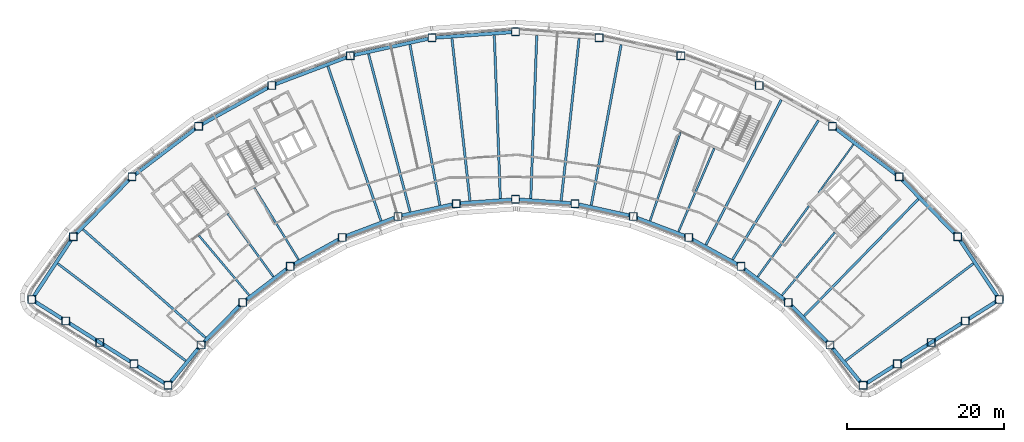
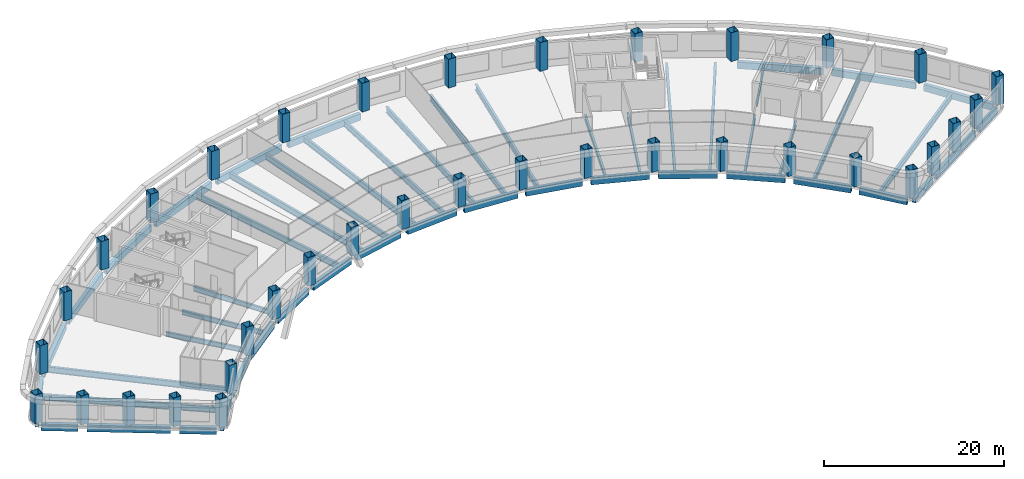
# One storey, part 1 of 13: 52 beams, 36 columns.
"""IFC4 building model written with IfcOpenShell, lengths in metres."""

from ifc_helpers import new_model, si_unit, direction, frame, origin, origin_2d, place, context, subcontext, project, spatial, hollow_rectangle, i_section, extrude, material, material_profile, profile_set, type_object, element, save


model = new_model("IFC4")

# Units and contexts
model_context = context("Model", 3, precision=1e-05, world=origin(), true_north=direction((0.0, 1.0)))
body_context = subcontext(model_context, "Body", "Model", "MODEL_VIEW")
ifc_project = project(units=[si_unit("LENGTHUNIT", "METRE"), si_unit("AREAUNIT", "SQUARE_METRE"), si_unit("VOLUMEUNIT", "CUBIC_METRE"), si_unit("PLANEANGLEUNIT", "RADIAN"), si_unit("MASSUNIT", "GRAM", prefix="KILO")], contexts=[model_context])

# Site, building, storey
site_placement = place(None, origin())
site = spatial("IfcSite", under=ifc_project, at=site_placement, CompositionType="ELEMENT")
building_placement = place(site_placement, origin())
building = spatial("IfcBuilding", under=site, at=building_placement, Name="Tuul Gate Civic Tower", CompositionType="ELEMENT")
storey_placement = place(building_placement, frame((0.0, 0.0, 150.800048828125)))
storey = spatial("IfcBuildingStorey", under=building, at=storey_placement, Name="Level 34", CompositionType="ELEMENT", Elevation=150.800048828125)

# Columns
ifc_material_1 = material(Name="Steel S355", Category="steel")
ifc_material_profile_1 = material_profile(ifc_material_1, hollow_rectangle(XDim=1.0, YDim=1.0, WallThickness=0.0400390625, at=origin_2d()), Name="BOX1000x1000x40")
ifc_profile_set_1 = profile_set([ifc_material_profile_1], Name="Steel S355")
column_type = type_object("IfcColumnType", Name="STR-COLUMN-BOX1000x1000x40", PredefinedType="COLUMN", material=ifc_profile_set_1)
for number, where, z_axis, x_axis, name in (
    (1, (67.044921875, -24.89697265625, 0.0), (0.0, 0.0, 1.0), (1.0, 0.0, 0.0), "Column"),
    (2, (61.74609375, -16.884033203125, 0.0), (0.0, 0.0, 1.0), (1.0, 0.0, 0.0), "Column"),
    (3, (54.27197265625, -9.259033203125, 0.0), (0.0, 0.0, 1.0), (1.0, 0.0, 0.0), "Column"),
    (4, (45.77587890625, -2.791015625, 0.0), (0.0, 0.0, 1.0), (1.0, 0.0, 0.0), "Column"),
    (5, (36.43798828125, 2.385009765625, 0.0), (0.0, 0.0, 1.0), (1.0, 0.0, 0.0), "Column"),
    (6, (26.450927734375, 6.162109375, 0.0), (0.0, 0.0, 1.0), (1.0, 0.0, 0.0), "Column"),
    (7, (16.02294921875, 8.4599609375, 0.0), (0.0, 0.0, 1.0), (1.0, 0.0, 0.0), "Column"),
    (8, (5.3740234375, 9.23193359375, 0.0), (0.0, 0.0, 1.0), (1.0, 0.0, 0.0), "Column"),
    (9, (-5.27490234375, 8.4599609375, 0.0), (0.0, 0.0, 1.0), (1.0, 0.0, 0.0), "Column"),
    (10, (-15.702880859375, 6.162109375, 0.0), (0.0, 0.0, 1.0), (1.0, 0.0, 0.0), "Column"),
    (11, (-25.68994140625, 2.385009765625, 0.0), (0.0, 0.0, 1.0), (1.0, 0.0, 0.0), "Column"),
    (12, (-35.028076171875, -2.791015625, 0.0), (0.0, 0.0, 1.0), (1.0, 0.0, 0.0), "Column"),
    (13, (-43.52392578125, -9.259033203125, 0.0), (0.0, 0.0, 1.0), (1.0, 0.0, 0.0), "Column"),
    (14, (-50.998046875, -16.884033203125, 0.0), (0.0, 0.0, 1.0), (1.0, 0.0, 0.0), "Column"),
    (15, (-56.297119140625, -24.89697265625, 0.0), (0.0, 0.0, 1.0), (1.0, 0.0, 0.0), "Column"),
    (16, (-51.9541015625, -27.631103515625, 0.0), (0.0, 0.0, 1.0), (1.0, 0.0, 0.0), "Column"),
    (17, (-47.612060546875, -30.365966796875, 0.0), (0.0, 0.0, 1.0), (1.0, 0.0, 0.0), "Column"),
    (18, (-43.26904296875, -33.10009765625, 0.0), (0.0, 0.0, 1.0), (1.0, 0.0, 0.0), "Column"),
    (19, (-38.927001953125, -35.8349609375, 0.0), (0.0, 0.0, 1.0), (1.0, 0.0, 0.0), "Column"),
    (20, (-34.70703125, -30.693115234375, 0.0), (0.0, 0.0, 1.0), (1.0, 0.0, 0.0), "Column"),
    (21, (-29.39306640625, -25.27099609375, 0.0), (0.0, 0.0, 1.0), (1.0, 0.0, 0.0), "Column"),
    (22, (-23.35302734375, -20.672119140625, 0.0), (0.0, 0.0, 1.0), (1.0, 0.0, 0.0), "Column"),
    (23, (-16.712890625, -16.991943359375, 0.0), (0.0, 0.0, 1.0), (1.0, 0.0, 0.0), "Column"),
    (24, (-9.612060546875, -14.306884765625, 0.0), (0.0, 0.0, 1.0), (1.0, 0.0, 0.0), "Column"),
    (25, (-2.197998046875, -12.673095703125, 0.0), (0.0, 0.0, 1.0), (1.0, 0.0, 0.0), "Column"),
    (26, (5.3740234375, -12.1240234375, 0.0), (0.0, 0.0, 1.0), (1.0, 0.0, 0.0), "Column"),
    (27, (12.946044921875, -12.673095703125, 0.0), (0.0, 0.0, 1.0), (1.0, 0.0, 0.0), "Column"),
    (28, (20.360107421875, -14.306884765625, 0.0), (0.0, 0.0, 1.0), (1.0, 0.0, 0.0), "Column"),
    (29, (27.4609375, -16.991943359375, 0.0), (0.0, 0.0, 1.0), (1.0, 0.0, 0.0), "Column"),
    (30, (34.10107421875, -20.672119140625, 0.0), (0.0, 0.0, 1.0), (1.0, 0.0, 0.0), "Column"),
    (31, (40.14111328125, -25.27099609375, 0.0), (0.0, 0.0, 1.0), (1.0, 0.0, 0.0), "Column"),
    (32, (45.455078125, -30.693115234375, 0.0), (0.0, 0.0, 1.0), (1.0, 0.0, 0.0), "Column"),
    (33, (49.675048828125, -35.8349609375, 0.0), (0.0, 0.0, 1.0), (1.0, 0.0, 0.0), "Column"),
    (34, (54.01708984375, -33.10009765625, 0.0), (0.0, 0.0, 1.0), (1.0, 0.0, 0.0), "Column"),
    (35, (58.360107421875, -30.365966796875, 0.0), (0.0, 0.0, 1.0), (1.0, 0.0, 0.0), "Column"),
    (36, (62.701904296875, -27.631103515625, 0.0), (0.0, 0.0, 1.0), (1.0, 0.0, 0.0), "Column"),
):
    element("IfcColumn", number, at=place(storey_placement, frame(where, z_axis=z_axis, x_axis=x_axis)), inside=storey, type_object=column_type, Name=name, PredefinedType="COLUMN", context=body_context, shape_type="SweptSolid", body=[
        extrude(hollow_rectangle(XDim=1.0, YDim=1.0, WallThickness=0.0400390625, at=origin_2d()), origin(), (0.0, 0.0, 1.0), 3.89990234375),
    ])

# Beams
ifc_material_2 = material(Name="Steel S355", Category="steel")
ifc_material_profile_2 = material_profile(ifc_material_2, i_section(OverallWidth=0.199951171875, OverallDepth=0.5, WebThickness=0.010009765625, FlangeThickness=0.01611328125, at=origin_2d()), Name="PG500x200x10x16")
ifc_profile_set_2 = profile_set([ifc_material_profile_2], Name="Steel S355")
beam_type_1 = type_object("IfcBeamType", Name="STR-FLOOR BEAM-PG500x200x10x16", PredefinedType="BEAM", material=ifc_profile_set_2)
beam_1_placement = place(storey_placement, frame((43.999267578125, -11.26806640625, -0.550048828125), z_axis=(0.586082415156, 0.810251444087, 0.0), x_axis=(-0.810251444087, 0.586082415156, 0.0)))
element("IfcBeam", 37, at=beam_1_placement, inside=storey, type_object=beam_type_1, Name="Floor beam", PredefinedType="BEAM", context=body_context, shape_type="SweptSolid", body=[
    extrude(i_section(OverallWidth=0.199951171875, OverallDepth=0.5, WebThickness=0.010009765625, FlangeThickness=0.01611328125, at=origin_2d()), origin(), (0.0, 0.0, 1.0), 7.573486328125),
])
ifc_material_3 = material(Name="Steel S355", Category="steel")
ifc_material_profile_3 = material_profile(ifc_material_3, i_section(OverallWidth=0.25, OverallDepth=0.64990234375, WebThickness=0.011962890625, FlangeThickness=0.02001953125, at=origin_2d()), Name="PG650x250x12x20")
ifc_profile_set_3 = profile_set([ifc_material_profile_3], Name="Steel S355")
beam_type_2 = type_object("IfcBeamType", Name="STR-FLOOR BEAM-PG650x250x12x20", PredefinedType="BEAM", material=ifc_profile_set_3)
beam_2_placement = place(storey_placement, frame((39.332275390625, -24.341064453125, -0.625), z_axis=(0.644139340378, 0.764908171075, 0.0), x_axis=(-0.764908171075, 0.644139340378, 0.0)))
element("IfcBeam", 38, at=beam_2_placement, inside=storey, type_object=beam_type_2, Name="Floor beam", PredefinedType="BEAM", context=body_context, shape_type="SweptSolid", body=[
    extrude(i_section(OverallWidth=0.25, OverallDepth=0.64990234375, WebThickness=0.011962890625, FlangeThickness=0.02001953125, at=origin_2d()), origin(), (0.0, 0.0, 1.0), 10.45751953125),
])
beam_3_placement = place(storey_placement, frame((36.244140625, -21.989501953125, -0.625), z_axis=(0.586079949971, 0.810253227234, 0.0), x_axis=(-0.810253227234, 0.586079949971, 0.0)))
element("IfcBeam", 39, at=beam_3_placement, inside=storey, type_object=beam_type_2, Name="Floor beam", PredefinedType="BEAM", context=body_context, shape_type="SweptSolid", body=[
    extrude(i_section(OverallWidth=0.25, OverallDepth=0.64990234375, WebThickness=0.011962890625, FlangeThickness=0.02001953125, at=origin_2d()), origin(), (0.0, 0.0, 1.0), 11.128173828125),
])
beam_4_placement = place(storey_placement, frame((26.150634765625, -16.229248046875, -0.625), z_axis=(0.394192627131, 0.919027841099, 0.0), x_axis=(-0.919027841099, 0.394192627131, 0.0)))
element("IfcBeam", 40, at=beam_4_placement, inside=storey, type_object=beam_type_2, Name="Floor beam", PredefinedType="BEAM", context=body_context, shape_type="SweptSolid", body=[
    extrude(i_section(OverallWidth=0.25, OverallDepth=0.64990234375, WebThickness=0.011962890625, FlangeThickness=0.02001953125, at=origin_2d()), origin(), (0.0, 0.0, 1.0), 11.533935546875),
])
beam_5_placement = place(storey_placement, frame((22.520263671875, -14.8564453125, -0.625), z_axis=(0.32548222654, 0.945548158587, 0.0), x_axis=(-0.945548158587, 0.32548222654, 0.0)))
element("IfcBeam", 41, at=beam_5_placement, inside=storey, type_object=beam_type_2, Name="Floor beam", PredefinedType="BEAM", context=body_context, shape_type="SweptSolid", body=[
    extrude(i_section(OverallWidth=0.25, OverallDepth=0.64990234375, WebThickness=0.011962890625, FlangeThickness=0.02001953125, at=origin_2d()), origin(), (0.0, 0.0, 1.0), 11.883544921875),
])
beam_6_placement = place(storey_placement, frame((-22.29248046875, -19.79833984375, -0.625), z_axis=(-0.524846383073, 0.851196965558, 0.0), x_axis=(-0.851196965558, -0.524846383073, 0.0)))
element("IfcBeam", 42, at=beam_6_placement, inside=storey, type_object=beam_type_2, Name="Floor beam", PredefinedType="BEAM", context=body_context, shape_type="SweptSolid", body=[
    extrude(i_section(OverallWidth=0.25, OverallDepth=0.64990234375, WebThickness=0.011962890625, FlangeThickness=0.02001953125, at=origin_2d()), origin(), (0.0, 0.0, 1.0), 10.7275390625),
])
beam_7_placement = place(storey_placement, frame((-25.49609375, -21.989501953125, -0.625), z_axis=(-0.586076139419, 0.810255983504, 0.0), x_axis=(-0.810255983504, -0.586076139419, 0.0)))
element("IfcBeam", 43, at=beam_7_placement, inside=storey, type_object=beam_type_2, Name="Floor beam", PredefinedType="BEAM", context=body_context, shape_type="SweptSolid", body=[
    extrude(i_section(OverallWidth=0.25, OverallDepth=0.64990234375, WebThickness=0.011962890625, FlangeThickness=0.02001953125, at=origin_2d()), origin(), (0.0, 0.0, 1.0), 9.922119140625),
])
beam_8_placement = place(storey_placement, frame((-28.584228515625, -24.341064453125, -0.625), z_axis=(-0.644136502782, 0.764910560644, 0.0), x_axis=(-0.764910560644, -0.644136502782, 0.0)))
element("IfcBeam", 44, at=beam_8_placement, inside=storey, type_object=beam_type_2, Name="Floor beam", PredefinedType="BEAM", context=body_context, shape_type="SweptSolid", body=[
    extrude(i_section(OverallWidth=0.25, OverallDepth=0.64990234375, WebThickness=0.011962890625, FlangeThickness=0.02001953125, at=origin_2d()), origin(), (0.0, 0.0, 1.0), 9.931396484375),
])
ifc_material_4 = material(Name="Steel S355", Category="steel")
ifc_material_profile_4 = material_profile(ifc_material_4, i_section(OverallWidth=0.300048828125, OverallDepth=0.800048828125, WebThickness=0.013916015625, FlangeThickness=0.02490234375, at=origin_2d()), Name="PG800x300x14x25")
ifc_profile_set_4 = profile_set([ifc_material_profile_4], Name="Steel S355")
beam_type_3 = type_object("IfcBeamType", Name="STR-FLOOR BEAM-PG800x300x14x25", PredefinedType="BEAM", material=ifc_profile_set_4)
beam_9_placement = place(storey_placement, frame((47.4287109375, -32.703857421875, -0.699951171875), z_axis=(0.796150928405, 0.60509809056, 0.0), x_axis=(-0.60509809056, 0.796150928405, 0.0)))
element("IfcBeam", 45, at=beam_9_placement, inside=storey, type_object=beam_type_3, Name="Floor beam", PredefinedType="BEAM", context=body_context, shape_type="SweptSolid", body=[
    extrude(i_section(OverallWidth=0.300048828125, OverallDepth=0.800048828125, WebThickness=0.013916015625, FlangeThickness=0.02490234375, at=origin_2d()), origin(), (0.0, 0.0, 1.0), 20.462646484375),
])
beam_10_placement = place(storey_placement, frame((42.172607421875, -26.986572265625, -0.699951171875), z_axis=(0.698684495675, 0.715429923544, 0.0), x_axis=(-0.715429923544, 0.698684495675, 0.0)))
element("IfcBeam", 46, at=beam_10_placement, inside=storey, type_object=beam_type_3, Name="Floor beam", PredefinedType="BEAM", context=body_context, shape_type="SweptSolid", body=[
    extrude(i_section(OverallWidth=0.300048828125, OverallDepth=0.800048828125, WebThickness=0.013916015625, FlangeThickness=0.02490234375, at=origin_2d()), origin(), (0.0, 0.0, 1.0), 20.804931640625),
])
beam_11_placement = place(storey_placement, frame((33.040283203125, -19.79833984375, -0.699951171875), z_axis=(0.524860669537, 0.851188156387, 0.0), x_axis=(-0.851188156387, 0.524860669537, 0.0)))
element("IfcBeam", 47, at=beam_11_placement, inside=storey, type_object=beam_type_3, Name="Floor beam", PredefinedType="BEAM", context=body_context, shape_type="SweptSolid", body=[
    extrude(i_section(OverallWidth=0.300048828125, OverallDepth=0.800048828125, WebThickness=0.013916015625, FlangeThickness=0.02490234375, at=origin_2d()), origin(), (0.0, 0.0, 1.0), 20.821533203125),
])
beam_12_placement = place(storey_placement, frame((29.6455078125, -17.916748046875, -0.699951171875), z_axis=(0.460777413818, 0.887515732207, 0.0), x_axis=(-0.887515732207, 0.460777413818, 0.0)))
element("IfcBeam", 48, at=beam_12_placement, inside=storey, type_object=beam_type_3, Name="Floor beam", PredefinedType="BEAM", context=body_context, shape_type="SweptSolid", body=[
    extrude(i_section(OverallWidth=0.300048828125, OverallDepth=0.800048828125, WebThickness=0.013916015625, FlangeThickness=0.02490234375, at=origin_2d()), origin(), (0.0, 0.0, 1.0), 20.80712890625),
])
beam_13_placement = place(storey_placement, frame((15.0224609375, -12.874755859375, -0.699951171875), z_axis=(0.183147342328, 0.98308547492, 0.0), x_axis=(-0.98308547492, 0.183147342328, 0.0)))
element("IfcBeam", 49, at=beam_13_placement, inside=storey, type_object=beam_type_3, Name="Floor beam", PredefinedType="BEAM", context=body_context, shape_type="SweptSolid", body=[
    extrude(i_section(OverallWidth=0.300048828125, OverallDepth=0.800048828125, WebThickness=0.013916015625, FlangeThickness=0.02490234375, at=origin_2d()), origin(), (0.0, 0.0, 1.0), 20.811279296875),
])
beam_14_placement = place(storey_placement, frame((11.185302734375, -12.294677734375, -0.699951171875), z_axis=(0.110287344613, 0.993899744249, 0.0), x_axis=(-0.993899744249, 0.110287344613, 0.0)))
element("IfcBeam", 50, at=beam_14_placement, inside=storey, type_object=beam_type_3, Name="Floor beam", PredefinedType="BEAM", context=body_context, shape_type="SweptSolid", body=[
    extrude(i_section(OverallWidth=0.300048828125, OverallDepth=0.800048828125, WebThickness=0.013916015625, FlangeThickness=0.02490234375, at=origin_2d()), origin(), (0.0, 0.0, 1.0), 20.815185546875),
])
for number, where, z_axis, x_axis, name in (
    (51, (7.314453125, -12.013916015625, -0.699951171875), (0.036820764609, 0.999321885727, 0.0), (-0.999321885727, 0.036820764609, 0.0), "Floor beam"),
    (52, (3.43359375, -12.013916015625, -0.699951171875), (-0.036832478792, 0.999321454041, 0.0), (-0.999321454041, -0.036832478792, 0.0), "Floor beam"),
):
    element("IfcBeam", number, at=place(storey_placement, frame(where, z_axis=z_axis, x_axis=x_axis)), inside=storey, type_object=beam_type_3, Name=name, PredefinedType="BEAM", context=body_context, shape_type="SweptSolid", body=[
        extrude(i_section(OverallWidth=0.300048828125, OverallDepth=0.800048828125, WebThickness=0.013916015625, FlangeThickness=0.02490234375, at=origin_2d()), origin(), (0.0, 0.0, 1.0), 20.813232421875),
    ])
beam_15_placement = place(storey_placement, frame((-0.437255859375, -12.294677734375, -0.699951171875), z_axis=(-0.110287344613, 0.993899744249, 0.0), x_axis=(-0.993899744249, -0.110287344613, 0.0)))
element("IfcBeam", 53, at=beam_15_placement, inside=storey, type_object=beam_type_3, Name="Floor beam", PredefinedType="BEAM", context=body_context, shape_type="SweptSolid", body=[
    extrude(i_section(OverallWidth=0.300048828125, OverallDepth=0.800048828125, WebThickness=0.013916015625, FlangeThickness=0.02490234375, at=origin_2d()), origin(), (0.0, 0.0, 1.0), 20.815185546875),
])
beam_16_placement = place(storey_placement, frame((-4.2744140625, -12.874755859375, -0.699951171875), z_axis=(-0.183147342328, 0.98308547492, 0.0), x_axis=(-0.98308547492, -0.183147342328, 0.0)))
element("IfcBeam", 54, at=beam_16_placement, inside=storey, type_object=beam_type_3, Name="Floor beam", PredefinedType="BEAM", context=body_context, shape_type="SweptSolid", body=[
    extrude(i_section(OverallWidth=0.300048828125, OverallDepth=0.800048828125, WebThickness=0.013916015625, FlangeThickness=0.02490234375, at=origin_2d()), origin(), (0.0, 0.0, 1.0), 20.811279296875),
])
beam_17_placement = place(storey_placement, frame((-8.064697265625, -13.7099609375, -0.699951171875), z_axis=(-0.255004720301, 0.96693980817, 0.0), x_axis=(-0.96693980817, -0.255004720301, 0.0)))
element("IfcBeam", 55, at=beam_17_placement, inside=storey, type_object=beam_type_3, Name="Floor beam", PredefinedType="BEAM", context=body_context, shape_type="SweptSolid", body=[
    extrude(i_section(OverallWidth=0.300048828125, OverallDepth=0.800048828125, WebThickness=0.013916015625, FlangeThickness=0.02490234375, at=origin_2d()), origin(), (0.0, 0.0, 1.0), 20.817626953125),
])
beam_18_placement = place(storey_placement, frame((-11.772216796875, -14.8564453125, -0.699951171875), z_axis=(-0.325486974479, 0.945546524209, 0.0), x_axis=(-0.945546524209, -0.325486974479, 0.0)))
element("IfcBeam", 56, at=beam_18_placement, inside=storey, type_object=beam_type_3, Name="Floor beam", PredefinedType="BEAM", context=body_context, shape_type="SweptSolid", body=[
    extrude(i_section(OverallWidth=0.300048828125, OverallDepth=0.800048828125, WebThickness=0.013916015625, FlangeThickness=0.02490234375, at=origin_2d()), origin(), (0.0, 0.0, 1.0), 20.809326171875),
])
beam_19_placement = place(storey_placement, frame((-34.1416015625, -29.759033203125, -0.699951171875), z_axis=(-0.749453243269, 0.662057275584, 0.0), x_axis=(-0.662057275584, -0.749453243269, 0.0)))
element("IfcBeam", 57, at=beam_19_placement, inside=storey, type_object=beam_type_3, Name="Floor beam", PredefinedType="BEAM", context=body_context, shape_type="SweptSolid", body=[
    extrude(i_section(OverallWidth=0.300048828125, OverallDepth=0.800048828125, WebThickness=0.013916015625, FlangeThickness=0.02490234375, at=origin_2d()), origin(), (0.0, 0.0, 1.0), 20.828369140625),
])
beam_20_placement = place(storey_placement, frame((-36.6806640625, -32.703857421875, -0.699951171875), z_axis=(-0.796150928405, 0.60509809056, 0.0), x_axis=(-0.60509809056, -0.796150928405, 0.0)))
element("IfcBeam", 58, at=beam_20_placement, inside=storey, type_object=beam_type_3, Name="Floor beam", PredefinedType="BEAM", context=body_context, shape_type="SweptSolid", body=[
    extrude(i_section(OverallWidth=0.300048828125, OverallDepth=0.800048828125, WebThickness=0.013916015625, FlangeThickness=0.02490234375, at=origin_2d()), origin(), (0.0, 0.0, 1.0), 20.462646484375),
])
ifc_material_5 = material(Name="Steel S355", Category="steel")
ifc_material_profile_5 = material_profile(ifc_material_5, hollow_rectangle(XDim=0.449951171875, YDim=0.89990234375, WallThickness=0.02490234375, at=origin_2d()), Name="BOX900x450x25")
ifc_profile_set_5 = profile_set([ifc_material_profile_5], Name="Steel S355")
beam_type_4 = type_object("IfcBeamType", Name="STR-SPANDREL BEAM-BOX900x450x25", PredefinedType="BEAM", material=ifc_profile_set_5)
beam_21_placement = place(storey_placement, frame((66.769287109375, -24.47998046875, -0.75), z_axis=(-0.551606651845, 0.834104370951, 0.0), x_axis=(-0.834104370951, -0.551606651845, 0.0)))
element("IfcBeam", 59, at=beam_21_placement, inside=storey, type_object=beam_type_4, Name="Spandrel beam", PredefinedType="BEAM", context=body_context, shape_type="SweptSolid", body=[
    extrude(hollow_rectangle(XDim=0.449951171875, YDim=0.89990234375, WallThickness=0.02490234375, at=origin_2d()), origin(), (0.0, 0.0, 1.0), 8.606689453125),
])
beam_22_placement = place(storey_placement, frame((61.39599609375, -16.52685546875, -0.75), z_axis=(-0.699994726763, 0.714148011622, 0.0), x_axis=(-0.714148011622, -0.699994726763, 0.0)))
element("IfcBeam", 60, at=beam_22_placement, inside=storey, type_object=beam_type_4, Name="Spandrel beam", PredefinedType="BEAM", context=body_context, shape_type="SweptSolid", body=[
    extrude(hollow_rectangle(XDim=0.449951171875, YDim=0.89990234375, WallThickness=0.02490234375, at=origin_2d()), origin(), (0.0, 0.0, 1.0), 9.677001953125),
])
beam_23_placement = place(storey_placement, frame((53.874267578125, -8.9560546875, -0.75), z_axis=(-0.795665611116, 0.605736110273, 0.0), x_axis=(-0.605736110273, -0.795665611116, 0.0)))
element("IfcBeam", 61, at=beam_23_placement, inside=storey, type_object=beam_type_4, Name="Spandrel beam", PredefinedType="BEAM", context=body_context, shape_type="SweptSolid", body=[
    extrude(hollow_rectangle(XDim=0.449951171875, YDim=0.89990234375, WallThickness=0.02490234375, at=origin_2d()), origin(), (0.0, 0.0, 1.0), 9.677978515625),
])
beam_24_placement = place(storey_placement, frame((4.875244140625, 9.19580078125, -0.75), z_axis=(-0.997382449667, -0.072306632453, 0.0), x_axis=(0.072306632453, -0.997382449667, 0.0)))
element("IfcBeam", 62, at=beam_24_placement, inside=storey, type_object=beam_type_4, Name="Spandrel beam", PredefinedType="BEAM", context=body_context, shape_type="SweptSolid", body=[
    extrude(hollow_rectangle(XDim=0.449951171875, YDim=0.89990234375, WallThickness=0.02490234375, at=origin_2d()), origin(), (0.0, 0.0, 1.0), 9.677001953125),
])
beam_25_placement = place(storey_placement, frame((-5.76318359375, 8.352294921875, -0.75), z_axis=(-0.976569557508, -0.215201996619, 0.0), x_axis=(0.215201996619, -0.976569557508, 0.0)))
element("IfcBeam", 63, at=beam_25_placement, inside=storey, type_object=beam_type_4, Name="Spandrel beam", PredefinedType="BEAM", context=body_context, shape_type="SweptSolid", body=[
    extrude(hollow_rectangle(XDim=0.449951171875, YDim=0.89990234375, WallThickness=0.02490234375, at=origin_2d()), origin(), (0.0, 0.0, 1.0), 9.67822265625),
])
beam_26_placement = place(storey_placement, frame((-16.170654296875, 5.985107421875, -0.75), z_axis=(-0.935342665374, -0.353742983436, 0.0), x_axis=(0.353742983436, -0.935342665374, 0.0)))
element("IfcBeam", 64, at=beam_26_placement, inside=storey, type_object=beam_type_4, Name="Spandrel beam", PredefinedType="BEAM", context=body_context, shape_type="SweptSolid", body=[
    extrude(hollow_rectangle(XDim=0.449951171875, YDim=0.89990234375, WallThickness=0.02490234375, at=origin_2d()), origin(), (0.0, 0.0, 1.0), 9.677490234375),
])
beam_27_placement = place(storey_placement, frame((-26.127197265625, 2.142578125, -0.75), z_axis=(-0.874626955885, -0.484796542933, 0.0), x_axis=(0.484796542933, -0.874626955885, 0.0)))
element("IfcBeam", 65, at=beam_27_placement, inside=storey, type_object=beam_type_4, Name="Spandrel beam", PredefinedType="BEAM", context=body_context, shape_type="SweptSolid", body=[
    extrude(hollow_rectangle(XDim=0.449951171875, YDim=0.89990234375, WallThickness=0.02490234375, at=origin_2d()), origin(), (0.0, 0.0, 1.0), 9.676513671875),
])
beam_28_placement = place(storey_placement, frame((-35.42578125, -3.09375, -0.75), z_axis=(-0.795665611116, -0.605736110273, 0.0), x_axis=(0.605736110273, -0.795665611116, 0.0)))
element("IfcBeam", 66, at=beam_28_placement, inside=storey, type_object=beam_type_4, Name="Spandrel beam", PredefinedType="BEAM", context=body_context, shape_type="SweptSolid", body=[
    extrude(hollow_rectangle(XDim=0.449951171875, YDim=0.89990234375, WallThickness=0.02490234375, at=origin_2d()), origin(), (0.0, 0.0, 1.0), 9.677978515625),
])
beam_29_placement = place(storey_placement, frame((-43.8740234375, -9.615966796875, -0.75), z_axis=(-0.699994726763, -0.714148011622, 0.0), x_axis=(0.714148011622, -0.699994726763, 0.0)))
element("IfcBeam", 67, at=beam_29_placement, inside=storey, type_object=beam_type_4, Name="Spandrel beam", PredefinedType="BEAM", context=body_context, shape_type="SweptSolid", body=[
    extrude(hollow_rectangle(XDim=0.449951171875, YDim=0.89990234375, WallThickness=0.02490234375, at=origin_2d()), origin(), (0.0, 0.0, 1.0), 9.677001953125),
])
beam_30_placement = place(storey_placement, frame((-51.273681640625, -17.301025390625, -0.75), z_axis=(-0.551606651845, -0.834104370951, 0.0), x_axis=(0.834104370951, -0.551606651845, 0.0)))
element("IfcBeam", 68, at=beam_30_placement, inside=storey, type_object=beam_type_4, Name="Spandrel beam", PredefinedType="BEAM", context=body_context, shape_type="SweptSolid", body=[
    extrude(hollow_rectangle(XDim=0.449951171875, YDim=0.89990234375, WallThickness=0.02490234375, at=origin_2d()), origin(), (0.0, 0.0, 1.0), 8.606689453125),
])
beam_31_placement = place(storey_placement, frame((-55.873779296875, -25.163330078125, -0.75), z_axis=(0.846247640598, -0.532789762273, 0.0), x_axis=(0.532789762273, 0.846247640598, 0.0)))
element("IfcBeam", 69, at=beam_31_placement, inside=storey, type_object=beam_type_4, Name="Spandrel beam", PredefinedType="BEAM", context=body_context, shape_type="SweptSolid", body=[
    extrude(hollow_rectangle(XDim=0.449951171875, YDim=0.89990234375, WallThickness=0.02490234375, at=origin_2d()), origin(), (0.0, 0.0, 1.0), 4.1318359375),
])
beam_32_placement = place(storey_placement, frame((-51.531005859375, -27.8974609375, -0.75), z_axis=(0.846210833603, -0.532848219565, 0.0), x_axis=(0.532848219565, 0.846210833603, 0.0)))
element("IfcBeam", 70, at=beam_32_placement, inside=storey, type_object=beam_type_4, Name="Spandrel beam", PredefinedType="BEAM", context=body_context, shape_type="SweptSolid", body=[
    extrude(hollow_rectangle(XDim=0.449951171875, YDim=0.89990234375, WallThickness=0.02490234375, at=origin_2d()), origin(), (0.0, 0.0, 1.0), 9.263427734375),
])
beam_33_placement = place(storey_placement, frame((-42.845947265625, -33.366455078125, -0.75), z_axis=(0.846117367302, -0.532996623582, 0.0), x_axis=(0.532996623582, 0.846117367302, 0.0)))
element("IfcBeam", 71, at=beam_33_placement, inside=storey, type_object=beam_type_4, Name="Spandrel beam", PredefinedType="BEAM", context=body_context, shape_type="SweptSolid", body=[
    extrude(hollow_rectangle(XDim=0.449951171875, YDim=0.89990234375, WallThickness=0.02490234375, at=origin_2d()), origin(), (0.0, 0.0, 1.0), 4.131591796875),
])
beam_34_placement = place(storey_placement, frame((-38.60986328125, -35.448486328125, -0.75), z_axis=(0.634417883175, 0.772990264821, 0.0), x_axis=(-0.772990264821, 0.634417883175, 0.0)))
element("IfcBeam", 72, at=beam_34_placement, inside=storey, type_object=beam_type_4, Name="Spandrel beam", PredefinedType="BEAM", context=body_context, shape_type="SweptSolid", body=[
    extrude(hollow_rectangle(XDim=0.449951171875, YDim=0.89990234375, WallThickness=0.02490234375, at=origin_2d()), origin(), (0.0, 0.0, 1.0), 5.65185546875),
])
beam_35_placement = place(storey_placement, frame((-34.35693359375, -30.3359375, -0.75), z_axis=(0.699959943252, 0.714182104118, 0.0), x_axis=(-0.714182104118, 0.699959943252, 0.0)))
element("IfcBeam", 73, at=beam_35_placement, inside=storey, type_object=beam_type_4, Name="Spandrel beam", PredefinedType="BEAM", context=body_context, shape_type="SweptSolid", body=[
    extrude(hollow_rectangle(XDim=0.449951171875, YDim=0.89990234375, WallThickness=0.02490234375, at=origin_2d()), origin(), (0.0, 0.0, 1.0), 6.591796875),
])
for number, where, z_axis, x_axis, name in (
    (74, (-28.9951171875, -24.968017578125, -0.75), (0.795618733299, 0.605797681758, 0.0), (-0.605797681758, 0.795618733299, 0.0), "Spandrel beam"),
    (75, (-22.915771484375, -20.4296875, -0.75), (0.874651244821, 0.484752720399, 0.0), (-0.484752720399, 0.874651244821, 0.0), "Spandrel beam"),
):
    element("IfcBeam", number, at=place(storey_placement, frame(where, z_axis=z_axis, x_axis=x_axis)), inside=storey, type_object=beam_type_4, Name=name, PredefinedType="BEAM", context=body_context, shape_type="SweptSolid", body=[
        extrude(hollow_rectangle(XDim=0.449951171875, YDim=0.89990234375, WallThickness=0.02490234375, at=origin_2d()), origin(), (0.0, 0.0, 1.0), 6.591552734375),
    ])
beam_36_placement = place(storey_placement, frame((-16.245361328125, -16.815185546875, -0.75), z_axis=(0.935371380161, 0.353667048472, 0.0), x_axis=(-0.353667048472, 0.935371380161, 0.0)))
element("IfcBeam", 76, at=beam_36_placement, inside=storey, type_object=beam_type_4, Name="Spandrel beam", PredefinedType="BEAM", context=body_context, shape_type="SweptSolid", body=[
    extrude(hollow_rectangle(XDim=0.449951171875, YDim=0.89990234375, WallThickness=0.02490234375, at=origin_2d()), origin(), (0.0, 0.0, 1.0), 6.591796875),
])
beam_37_placement = place(storey_placement, frame((-9.123779296875, -14.199462890625, -0.75), z_axis=(0.97655858912, 0.215251764258, 0.0), x_axis=(-0.215251764258, 0.97655858912, 0.0)))
element("IfcBeam", 77, at=beam_37_placement, inside=storey, type_object=beam_type_4, Name="Spandrel beam", PredefinedType="BEAM", context=body_context, shape_type="SweptSolid", body=[
    extrude(hollow_rectangle(XDim=0.449951171875, YDim=0.89990234375, WallThickness=0.02490234375, at=origin_2d()), origin(), (0.0, 0.0, 1.0), 6.592041015625),
])
for number, where, z_axis, x_axis, name in (
    (78, (-1.69921875, -12.636962890625, -0.75), (0.997380460519, 0.072334065112, 0.0), (-0.072334065112, 0.997380460519, 0.0), "Spandrel beam"),
    (79, (5.872802734375, -12.16015625, -0.75), (0.997380460519, -0.072334065112, 0.0), (0.072334065112, 0.997380460519, 0.0), "Spandrel beam"),
):
    element("IfcBeam", number, at=place(storey_placement, frame(where, z_axis=z_axis, x_axis=x_axis)), inside=storey, type_object=beam_type_4, Name=name, PredefinedType="BEAM", context=body_context, shape_type="SweptSolid", body=[
        extrude(hollow_rectangle(XDim=0.449951171875, YDim=0.89990234375, WallThickness=0.02490234375, at=origin_2d()), origin(), (0.0, 0.0, 1.0), 6.591796875),
    ])
beam_38_placement = place(storey_placement, frame((13.434326171875, -12.780517578125, -0.75), z_axis=(0.97655858912, -0.215251764258, 0.0), x_axis=(0.215251764258, 0.97655858912, 0.0)))
element("IfcBeam", 80, at=beam_38_placement, inside=storey, type_object=beam_type_4, Name="Spandrel beam", PredefinedType="BEAM", context=body_context, shape_type="SweptSolid", body=[
    extrude(hollow_rectangle(XDim=0.449951171875, YDim=0.89990234375, WallThickness=0.02490234375, at=origin_2d()), origin(), (0.0, 0.0, 1.0), 6.592041015625),
])
beam_39_placement = place(storey_placement, frame((20.82763671875, -14.48388671875, -0.75), z_axis=(0.935371380161, -0.353667048472, 0.0), x_axis=(0.353667048472, 0.935371380161, 0.0)))
element("IfcBeam", 81, at=beam_39_placement, inside=storey, type_object=beam_type_4, Name="Spandrel beam", PredefinedType="BEAM", context=body_context, shape_type="SweptSolid", body=[
    extrude(hollow_rectangle(XDim=0.449951171875, YDim=0.89990234375, WallThickness=0.02490234375, at=origin_2d()), origin(), (0.0, 0.0, 1.0), 6.591796875),
])
beam_40_placement = place(storey_placement, frame((27.8984375, -17.234375, -0.75), z_axis=(0.874642541027, -0.484768424535, 0.0), x_axis=(0.484768424535, 0.874642541027, 0.0)))
element("IfcBeam", 82, at=beam_40_placement, inside=storey, type_object=beam_type_4, Name="Spandrel beam", PredefinedType="BEAM", context=body_context, shape_type="SweptSolid", body=[
    extrude(hollow_rectangle(XDim=0.449951171875, YDim=0.89990234375, WallThickness=0.02490234375, at=origin_2d()), origin(), (0.0, 0.0, 1.0), 6.59130859375),
])
beam_41_placement = place(storey_placement, frame((34.498779296875, -20.974853515625, -0.75), z_axis=(0.795618733299, -0.605797681758, 0.0), x_axis=(0.605797681758, 0.795618733299, 0.0)))
element("IfcBeam", 83, at=beam_41_placement, inside=storey, type_object=beam_type_4, Name="Spandrel beam", PredefinedType="BEAM", context=body_context, shape_type="SweptSolid", body=[
    extrude(hollow_rectangle(XDim=0.449951171875, YDim=0.89990234375, WallThickness=0.02490234375, at=origin_2d()), origin(), (0.0, 0.0, 1.0), 6.591552734375),
])
beam_42_placement = place(storey_placement, frame((40.490966796875, -25.628173828125, -0.75), z_axis=(0.699959943252, -0.714182104118, 0.0), x_axis=(0.714182104118, 0.699959943252, 0.0)))
element("IfcBeam", 84, at=beam_42_placement, inside=storey, type_object=beam_type_4, Name="Spandrel beam", PredefinedType="BEAM", context=body_context, shape_type="SweptSolid", body=[
    extrude(hollow_rectangle(XDim=0.449951171875, YDim=0.89990234375, WallThickness=0.02490234375, at=origin_2d()), origin(), (0.0, 0.0, 1.0), 6.591796875),
])
beam_43_placement = place(storey_placement, frame((45.772216796875, -31.07958984375, -0.75), z_axis=(0.634417883175, -0.772990264821, 0.0), x_axis=(0.772990264821, 0.634417883175, 0.0)))
element("IfcBeam", 85, at=beam_43_placement, inside=storey, type_object=beam_type_4, Name="Spandrel beam", PredefinedType="BEAM", context=body_context, shape_type="SweptSolid", body=[
    extrude(hollow_rectangle(XDim=0.449951171875, YDim=0.89990234375, WallThickness=0.02490234375, at=origin_2d()), origin(), (0.0, 0.0, 1.0), 5.65185546875),
])
beam_44_placement = place(storey_placement, frame((50.09814453125, -35.568603515625, -0.75), z_axis=(0.846117367302, 0.532996623582, 0.0), x_axis=(-0.532996623582, 0.846117367302, 0.0)))
element("IfcBeam", 86, at=beam_44_placement, inside=storey, type_object=beam_type_4, Name="Spandrel beam", PredefinedType="BEAM", context=body_context, shape_type="SweptSolid", body=[
    extrude(hollow_rectangle(XDim=0.449951171875, YDim=0.89990234375, WallThickness=0.02490234375, at=origin_2d()), origin(), (0.0, 0.0, 1.0), 4.131591796875),
])
beam_45_placement = place(storey_placement, frame((54.440185546875, -32.83349609375, -0.75), z_axis=(0.846203350411, 0.532860103361, 0.0), x_axis=(-0.532860103361, 0.846203350411, 0.0)))
element("IfcBeam", 87, at=beam_45_placement, inside=storey, type_object=beam_type_4, Name="Spandrel beam", PredefinedType="BEAM", context=body_context, shape_type="SweptSolid", body=[
    extrude(hollow_rectangle(XDim=0.449951171875, YDim=0.89990234375, WallThickness=0.02490234375, at=origin_2d()), origin(), (0.0, 0.0, 1.0), 9.26318359375),
])
beam_46_placement = place(storey_placement, frame((63.125244140625, -27.36474609375, -0.75), z_axis=(0.846247640598, 0.532789762273, 0.0), x_axis=(-0.532789762273, 0.846247640598, 0.0)))
element("IfcBeam", 88, at=beam_46_placement, inside=storey, type_object=beam_type_4, Name="Spandrel beam", PredefinedType="BEAM", context=body_context, shape_type="SweptSolid", body=[
    extrude(hollow_rectangle(XDim=0.449951171875, YDim=0.89990234375, WallThickness=0.02490234375, at=origin_2d()), origin(), (0.0, 0.0, 1.0), 4.1318359375),
])

save(model, "model.ifc")
